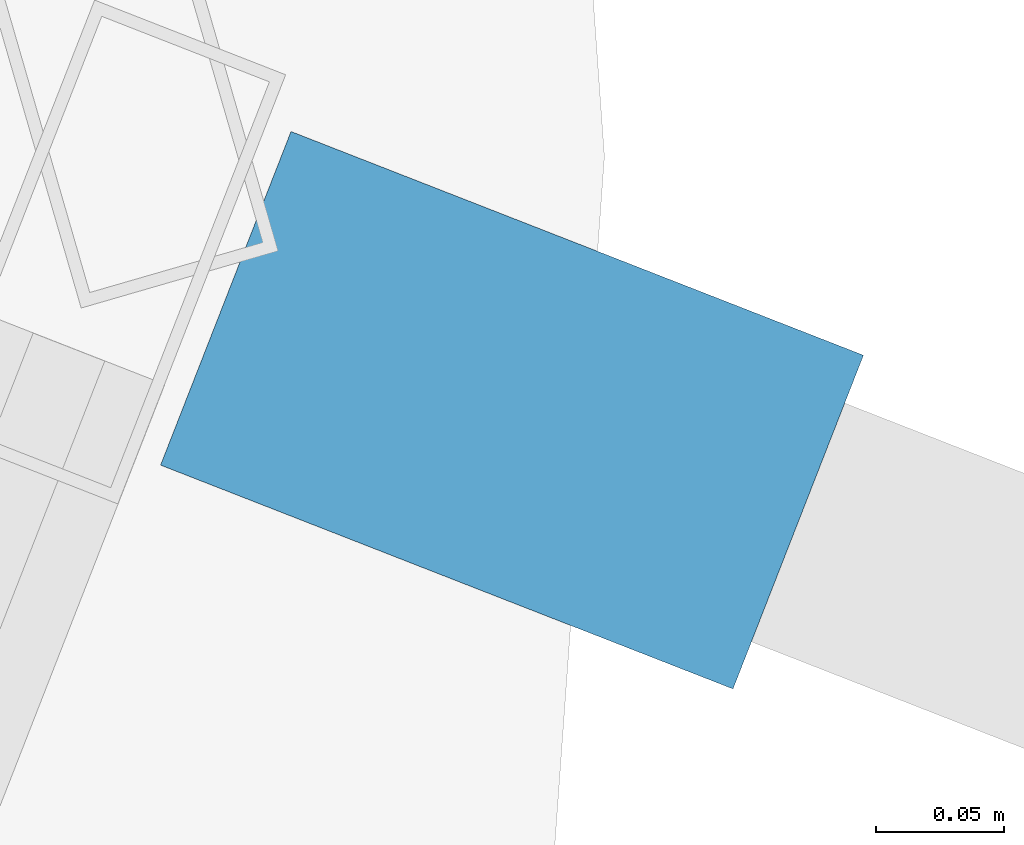
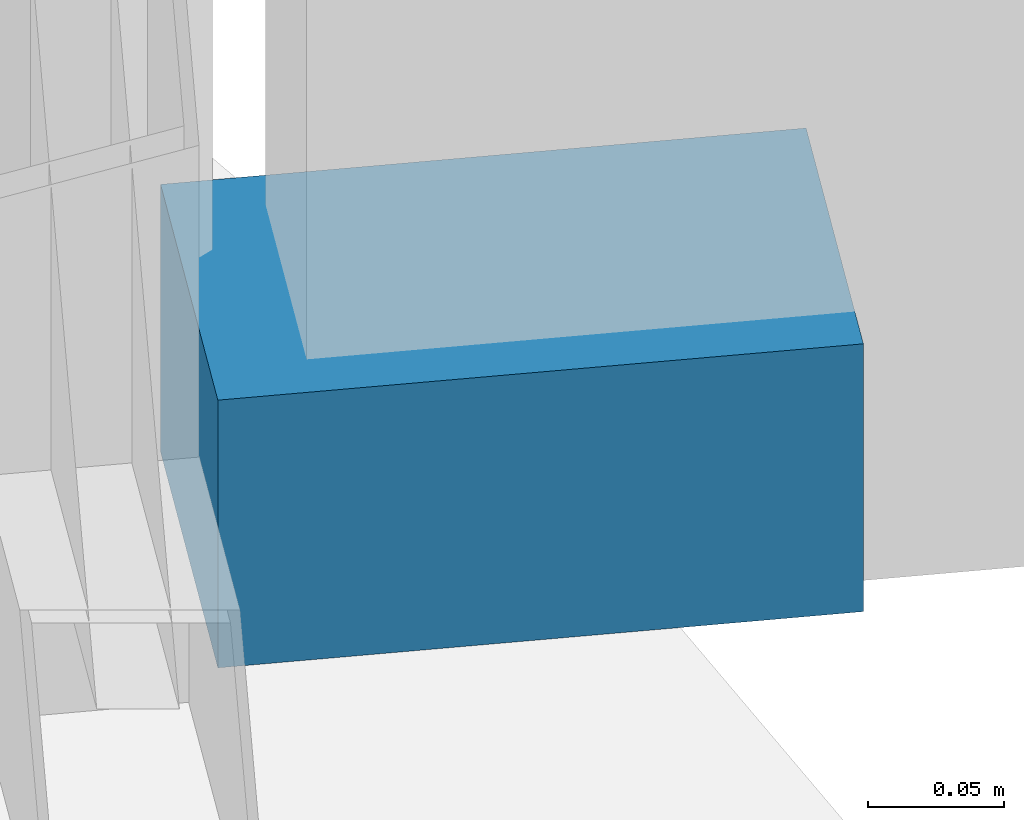
# One storey, part 30 of 34: 1 discrete accessory.
"""IFC4 building model written with IfcOpenShell, lengths in metres."""

from ifc_helpers import new_model, si_unit, direction, frame, origin, origin_2d, place, context, subcontext, project, spatial, rectangle, extrude, material, type_object, element, save


model = new_model("IFC4")

# Units and contexts
model_context = context("Model", 3, precision=1e-05, world=origin(), true_north=direction((0.0, 1.0)))
body_context = subcontext(model_context, "Body", "Model", "MODEL_VIEW")
ifc_project = project(units=[si_unit("LENGTHUNIT", "METRE"), si_unit("AREAUNIT", "SQUARE_METRE"), si_unit("VOLUMEUNIT", "CUBIC_METRE"), si_unit("PLANEANGLEUNIT", "RADIAN"), si_unit("MASSUNIT", "GRAM", prefix="KILO")], contexts=[model_context])

# Site, building, storey
site_placement = place(None, origin())
site = spatial("IfcSite", under=ifc_project, at=site_placement, CompositionType="ELEMENT")
building_placement = place(site_placement, origin())
building = spatial("IfcBuilding", under=site, at=building_placement, Name="Kazevale Care Tower and Concert Hall", CompositionType="ELEMENT")
storey_placement = place(building_placement, frame((0.0, 0.0, 160.199951171875)))
storey = spatial("IfcBuildingStorey", under=building, at=storey_placement, Name="L42", CompositionType="ELEMENT", Elevation=160.199951171875)

# Discrete accessory
ifc_material = material(Name="Stainless Steel 316", Category="steel")
discrete_accessory_type = type_object("IfcDiscreteAccessoryType", Name="Facade Fin Stainless Anchor Bracket BRK-1", PredefinedType="BRACKET", material=ifc_material)
discrete_accessory_placement = place(storey_placement, frame((79.36376953125, 37.90087890625, 0.0), z_axis=(0.0, 0.0, 1.0), x_axis=(0.931373876365, -0.364064146031, 0.0)))
element("IfcDiscreteAccessory", 1, at=discrete_accessory_placement, inside=storey, type_object=discrete_accessory_type, Name="cw:L42:f01:brk", PredefinedType="BRACKET", context=body_context, shape_type="SweptSolid", body=[
    extrude(rectangle(XDim=0.239990234375, YDim=0.139892578125, at=origin_2d()), origin(), (0.0, 0.0, 1.0), 0.1201171875),
])

save(model, "model.ifc")
